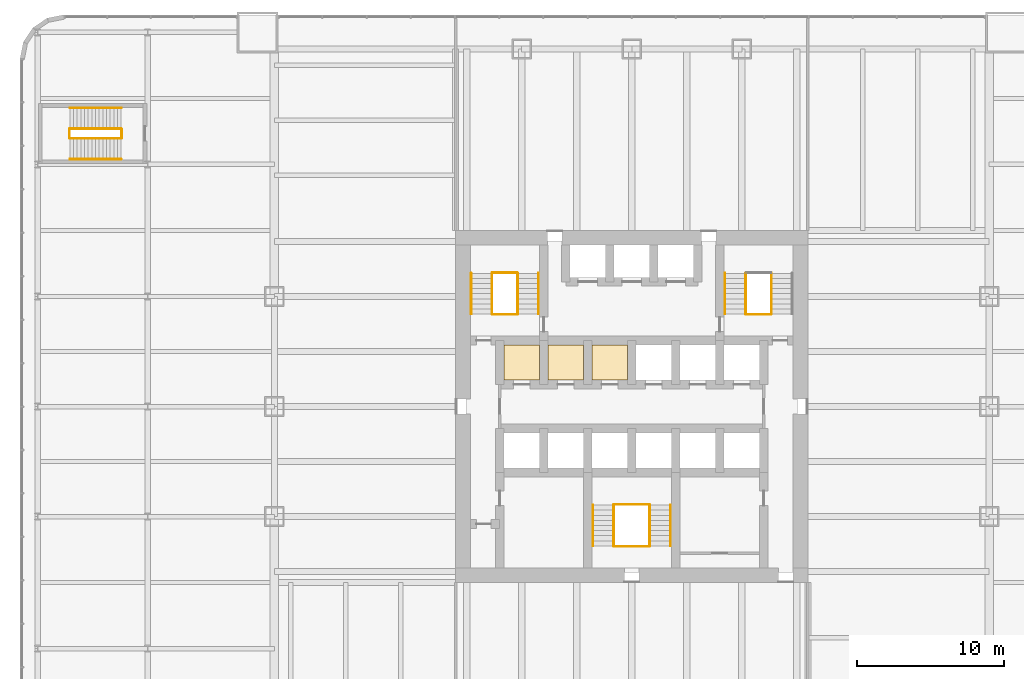
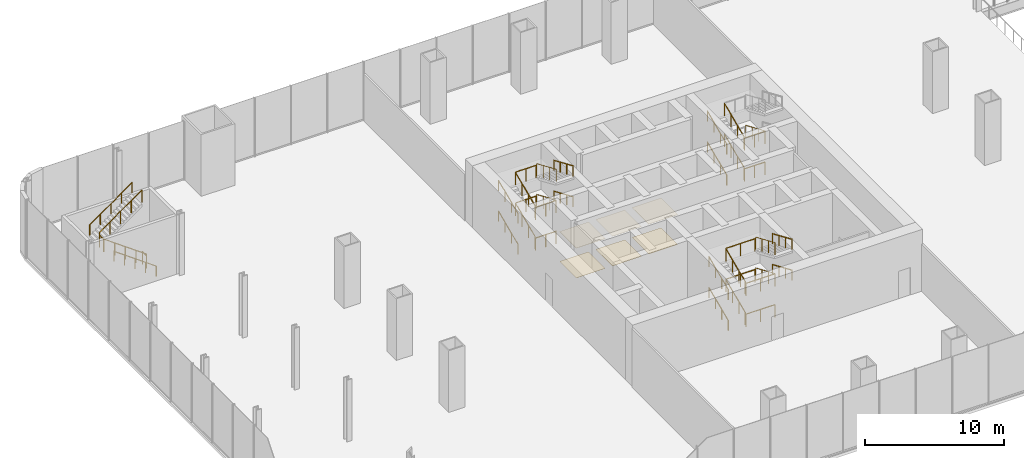
# One storey, part 15 of 16: 37 railings, 6 coverings.
"""IFC4 building model written with IfcOpenShell, lengths in metres."""

import ifcopenshell
import ifcopenshell.guid

model = None  # the IFC model being written
_history = None  # IfcOwnerHistory: only IFC2X3 demands one
_inside = {}  # id of a spatial element -> (the spatial element, [elements in it])
_under = {}  # id of a project, library or spatial element -> (it, [spatial elements below it])
_declared = {}  # id of a project -> (the project, [libraries it declares])
_typed = {}  # id of a type object -> (the type object, [elements of that type])
_made_of = {}  # id of a material, layer set ... -> (it, [elements and type objects made of it])


def new_model(schema):
    """Start an empty IFC model of exactly this schema.

    Asked for "IFC4X3", IfcOpenShell would pick the latest addendum, in which some entities
    have other attributes; the version numbers below select the first issue.
    IFC2X3 requires an IfcOwnerHistory on every rooted entity: one is made here for all.
    """
    global model, _history
    if schema == "IFC4X3":
        model = ifcopenshell.file(schema_version=(4, 3, 0, 0))
    else:
        model = ifcopenshell.file(schema=schema)
    _inside.clear()
    _under.clear()
    _declared.clear()
    _typed.clear()
    _made_of.clear()
    _history = None
    if model.schema == "IFC2X3":
        org = make("IfcOrganization", Name="unknown")
        user = make(
            "IfcPersonAndOrganization",
            ThePerson=make("IfcPerson", FamilyName="unknown"),
            TheOrganization=org,
        )
        app = make(
            "IfcApplication",
            ApplicationDeveloper=org,
            Version="unknown",
            ApplicationFullName="unknown",
            ApplicationIdentifier="unknown",
        )
        _history = make(
            "IfcOwnerHistory",
            OwningUser=user,
            OwningApplication=app,
            ChangeAction="ADDED",
            CreationDate=0,
        )
    return model


def make(cls, **values):
    """One entity of the class cls with the attributes given. An attribute that is None is left unset."""
    return model.create_entity(
        cls, **{name: value for name, value in values.items() if value is not None}
    )


def rooted(cls, **values):
    """An entity with a GlobalId (a new one), such as an element, a storey or a relation."""
    return make(cls, GlobalId=ifcopenshell.guid.new(), OwnerHistory=_history, **values)


def si_unit(unit_type, name, prefix=None):
    """IfcSIUnit, for example si_unit("LENGTHUNIT", "METRE", prefix="MILLI")."""
    return make("IfcSIUnit", UnitType=unit_type, Prefix=prefix, Name=name)


def assignment(units):
    """IfcUnitAssignment: the units of a project."""
    return None if units is None else make("IfcUnitAssignment", Units=units)


def point(xyz):
    """IfcCartesianPoint."""
    return None if xyz is None else make("IfcCartesianPoint", Coordinates=xyz)


def direction(xyz):
    """IfcDirection."""
    return None if xyz is None else make("IfcDirection", DirectionRatios=xyz)


def frame(location, z_axis=None, x_axis=None):
    """IfcAxis2Placement3D, a coordinate frame: its origin and axes. An axis left out is left unset."""
    return make(
        "IfcAxis2Placement3D",
        Location=point(location),
        Axis=direction(z_axis),
        RefDirection=direction(x_axis),
    )


def frame_2d(location, x_axis=None):
    """IfcAxis2Placement2D, a coordinate frame in the plane: its origin and x axis."""
    return make(
        "IfcAxis2Placement2D", Location=point(location), RefDirection=direction(x_axis)
    )


def origin():
    """The frame at (0, 0, 0) with its axes left unset."""
    return frame((0.0, 0.0, 0.0))


def origin_2d():
    """The frame at (0, 0) in the plane with its x axis left unset."""
    return frame_2d((0.0, 0.0))


def place(relative_to, where):
    """IfcLocalPlacement: puts the frame where relative to a parent placement (None: the world)."""
    return make(
        "IfcLocalPlacement", PlacementRelTo=relative_to, RelativePlacement=where
    )


def context(
    kind, dimensions, precision=None, world=None, true_north=None, identifier=None
):
    """IfcGeometricRepresentationContext, for example the 3D "Model" context."""
    return make(
        "IfcGeometricRepresentationContext",
        ContextIdentifier=identifier,
        ContextType=kind,
        CoordinateSpaceDimension=dimensions,
        Precision=precision,
        WorldCoordinateSystem=world,
        TrueNorth=true_north,
    )


def subcontext(parent, identifier, kind, view, scale=None):
    """IfcGeometricRepresentationSubContext, for example "Body" below "Model"."""
    return make(
        "IfcGeometricRepresentationSubContext",
        ContextIdentifier=identifier,
        ContextType=kind,
        ParentContext=parent,
        TargetScale=scale,
        TargetView=view,
    )


def project(units=None, contexts=None):
    """IfcProject with its units and contexts."""
    return rooted(
        "IfcProject",
        Name="project",
        RepresentationContexts=contexts,
        UnitsInContext=assignment(units),
    )


def spatial(cls, under=None, at=None, **own):
    """A site, building, storey or space (cls), placed at a placement, below another one or the project."""
    s = rooted(cls, ObjectPlacement=at, **own)
    if under is not None:
        _under.setdefault(under.id(), (under, []))[1].append(s)
    return s


def polyline(points):
    """IfcPolyline through the points."""
    return make("IfcPolyline", Points=[point(p) for p in points])


def profile(cls, at=None, kind="AREA", **sizes):
    """A parametric profile (cls). Its sizes go by their IFC names, for example OverallWidth=200.0."""
    return make(cls, ProfileType=kind, Position=at, **sizes)


def circle(**sizes):
    """IfcCircleProfileDef."""
    return profile("IfcCircleProfileDef", **sizes)


def outline(outer, holes=None, kind="AREA"):
    """IfcArbitraryClosedProfileDef: a profile drawn as a closed curve; with holes, ...WithVoids."""
    if holes is None:
        return make("IfcArbitraryClosedProfileDef", ProfileType=kind, OuterCurve=outer)
    return make(
        "IfcArbitraryProfileDefWithVoids",
        ProfileType=kind,
        OuterCurve=outer,
        InnerCurves=holes,
    )


def extrude(swept, where, along, depth):
    """IfcExtrudedAreaSolid: the profile swept, set in the frame where, extruded along a direction by depth."""
    return make(
        "IfcExtrudedAreaSolid",
        SweptArea=swept,
        Position=where,
        ExtrudedDirection=direction(along),
        Depth=depth,
    )


def shape(context_of_items, identifier, shape_type, items):
    """IfcShapeRepresentation: the items that make up one representation, for example the "Body"."""
    return make(
        "IfcShapeRepresentation",
        ContextOfItems=context_of_items,
        RepresentationIdentifier=identifier,
        RepresentationType=shape_type,
        Items=items,
    )


def material(Name=None, Category=None):
    """IfcMaterial."""
    return make("IfcMaterial", Name=Name, Category=Category)


def layer(
    of_material, thickness, ventilated=None, Name=None, Category=None, Priority=None
):
    """IfcMaterialLayer: one layer of a wall or slab, of a material (None: an air gap)."""
    return make(
        "IfcMaterialLayer",
        Material=of_material,
        LayerThickness=thickness,
        IsVentilated=ventilated,
        Name=Name,
        Category=Category,
        Priority=Priority,
    )


def layer_set(layers, Name=None):
    """IfcMaterialLayerSet."""
    return make("IfcMaterialLayerSet", MaterialLayers=layers, LayerSetName=Name)


def made_of(thing, what):
    """Note that an element or type object is made of a material, layer set ...; save() writes the relation."""
    if what is not None:
        _made_of.setdefault(what.id(), (what, []))[1].append(thing)
    return thing


def type_object(cls, material=None, **own):
    """A type object (cls), such as IfcWallType, which elements share."""
    return made_of(rooted(cls, **own), material)


def element(
    cls,
    number,
    at=None,
    inside=None,
    cuts=None,
    type_object=None,
    material=None,
    context=None,
    identifier="Body",
    shape_type=None,
    held_by="IfcProductDefinitionShape",
    body=None,
    shapes=None,
    **own,
):
    """One element of the class cls, such as IfcWall. Its Tag is "e" and its number.

    at: its placement. inside: the storey or other place that contains it. cuts: it is an
    opening in that element (IfcRelVoidsElement). A single representation is given by context,
    identifier, shape_type and body (its items); several are given by shapes. held_by: the class
    of the entity that holds the representations. save() writes the other relations.
    """
    e = rooted(cls, Tag="e%d" % number, ObjectPlacement=at, **own)
    if body is not None:
        shapes = [shape(context, identifier, shape_type, body)]
    if shapes is not None:
        e.Representation = make(held_by, Representations=shapes)
    if inside is not None:
        _inside.setdefault(inside.id(), (inside, []))[1].append(e)
    if cuts is not None:
        rooted(
            "IfcRelVoidsElement", RelatingBuildingElement=cuts, RelatedOpeningElement=e
        )
    if type_object is not None:
        _typed.setdefault(type_object.id(), (type_object, []))[1].append(e)
    return made_of(e, material)


def aggregate(whole, parts):
    """IfcRelAggregates: a whole, such as a stair, and the parts it consists of."""
    return rooted("IfcRelAggregates", RelatingObject=whole, RelatedObjects=parts)


def save(model, path):
    """Write the relations noted so far, then the file.

    IfcRelAggregates (storeys below a building ...), IfcRelContainedInSpatialStructure (elements
    in a storey), IfcRelDefinesByType, IfcRelAssociatesMaterial and IfcRelDeclares: one each for
    every whole, place, type object, material and project.
    """
    for whole, parts in _under.values():
        aggregate(whole, parts)
    for where, things in _inside.values():
        rooted(
            "IfcRelContainedInSpatialStructure",
            RelatedElements=things,
            RelatingStructure=where,
        )
    for kind, things in _typed.values():
        rooted("IfcRelDefinesByType", RelatedObjects=things, RelatingType=kind)
    for what, things in _made_of.values():
        rooted("IfcRelAssociatesMaterial", RelatedObjects=things, RelatingMaterial=what)
    for by, libraries in _declared.values():
        rooted("IfcRelDeclares", RelatingContext=by, RelatedDefinitions=libraries)
    model.write(path)


model = new_model("IFC4")

# Units and contexts
model_context = context("Model", 3, precision=1e-05, world=origin(), true_north=direction((0.0, 1.0)))
body_context = subcontext(model_context, "Body", "Model", "MODEL_VIEW")
ifc_project = project(units=[si_unit("LENGTHUNIT", "METRE"), si_unit("AREAUNIT", "SQUARE_METRE"), si_unit("VOLUMEUNIT", "CUBIC_METRE"), si_unit("PLANEANGLEUNIT", "RADIAN"), si_unit("MASSUNIT", "GRAM", prefix="KILO")], contexts=[model_context])

# Site, building, storey
site_placement = place(None, origin())
site = spatial("IfcSite", under=ifc_project, at=site_placement, CompositionType="ELEMENT")
building_placement = place(site_placement, origin())
building = spatial("IfcBuilding", under=site, at=building_placement, Name="Tarangal Relay Tower", CompositionType="ELEMENT")
storey_placement = place(building_placement, frame((0.0, 0.0, 7.199951171875)))
storey = spatial("IfcBuildingStorey", under=building, at=storey_placement, Name="L01", CompositionType="ELEMENT", Elevation=7.199951171875)

# Coverings
ifc_material_1 = material(Name="Anti-static vinyl flooring", Category="plastic")
ifc_layer_1 = layer(ifc_material_1, 0.010009765625)
ifc_layer_set_1 = layer_set([ifc_layer_1], Name="Anti-static vinyl floor")
covering_type_1 = type_object("IfcCoveringType", Name="Anti-static vinyl floor", PredefinedType="FLOORING", material=ifc_layer_set_1)
covering_1_placement = place(storey_placement, origin())
element("IfcCovering", 1, at=covering_1_placement, inside=storey, type_object=covering_type_1, Name="Floor finish FL1 L01-D1", PredefinedType="FLOORING", context=body_context, shape_type="SweptSolid", body=[
    extrude(outline(polyline([(-8.699951171875, 1.800048828125), (-6.300048828125, 1.800048828125), (-6.300048828125, 4.199951171875), (-8.699951171875, 4.199951171875), (-8.699951171875, 1.800048828125)])), origin(), (0.0, 0.0, 1.0), 0.010009765625),
])
covering_2_placement = place(storey_placement, origin())
element("IfcCovering", 2, at=covering_2_placement, inside=storey, type_object=covering_type_1, Name="Floor finish FL1 L01-D2", PredefinedType="FLOORING", context=body_context, shape_type="SweptSolid", body=[
    extrude(outline(polyline([(-5.699951171875, 1.800048828125), (-3.300048828125, 1.800048828125), (-3.300048828125, 4.199951171875), (-5.699951171875, 4.199951171875), (-5.699951171875, 1.800048828125)])), origin(), (0.0, 0.0, 1.0), 0.010009765625),
])
covering_3_placement = place(storey_placement, origin())
element("IfcCovering", 3, at=covering_3_placement, inside=storey, type_object=covering_type_1, Name="Floor finish FL1 L01-D3", PredefinedType="FLOORING", context=body_context, shape_type="SweptSolid", body=[
    extrude(outline(polyline([(-2.699951171875, 1.800048828125), (-0.300048828125, 1.800048828125), (-0.300048828125, 4.199951171875), (-2.699951171875, 4.199951171875), (-2.699951171875, 1.800048828125)])), origin(), (0.0, 0.0, 1.0), 0.010009765625),
])

# Railings
ifc_material_2 = material(Name="Steel guard, black finish", Category="steel")
railing_type_1 = type_object("IfcRailingType", Name="Stair guard 1100", PredefinedType="GUARDRAIL", material=ifc_material_2)
railing_1_placement = place(storey_placement, frame((-9.530029296875, 6.300048828125, 0.150146484375)))
element("IfcRailing", 4, at=railing_1_placement, inside=storey, type_object=railing_type_1, Name="Stair ST-A guard GR1 L01 flight 1", PredefinedType="GUARDRAIL", context=body_context, shape_type="SweptSolid", body=[
    extrude(circle(Radius=0.02392578125, at=origin_2d()), frame((0.0, 0.0, 1.076171875), z_axis=(0.0, 0.918326609968, 0.395823492765), x_axis=(-1.0, 0.0, 0.0)), (0.0, 0.0, 1.0), 3.031494140625),
    extrude(circle(Radius=0.02099609375, at=origin_2d()), origin(), (0.0, 0.0, 1.0), 1.052001953125),
    extrude(circle(Radius=0.02099609375, at=origin_2d()), frame((0.0, 0.927978515625, 0.39990234375)), (0.0, 0.0, 1.0), 1.052001953125),
    extrude(circle(Radius=0.02099609375, at=origin_2d()), frame((0.0, 1.85595703125, 0.800048828125)), (0.0, 0.0, 1.0), 1.052001953125),
    extrude(circle(Radius=0.02099609375, at=origin_2d()), frame((0.0, 2.783935546875, 1.199951171875)), (0.0, 0.0, 1.0), 1.052001953125),
])
railing_2_placement = place(storey_placement, frame((-7.77001953125, 9.083984375, 1.5)))
element("IfcRailing", 5, at=railing_2_placement, inside=storey, type_object=railing_type_1, Name="Stair ST-A guard GR1 L01 flight 2", PredefinedType="GUARDRAIL", context=body_context, shape_type="SweptSolid", body=[
    extrude(circle(Radius=0.02392578125, at=origin_2d()), frame((0.0, 0.0, 1.076171875), z_axis=(0.0, -0.918326609968, 0.395823492765), x_axis=(1.0, 0.0, 0.0)), (0.0, 0.0, 1.0), 3.031494140625),
    extrude(circle(Radius=0.02099609375, at=origin_2d()), origin(), (0.0, 0.0, 1.0), 1.052001953125),
    extrude(circle(Radius=0.02099609375, at=origin_2d()), frame((0.0, -0.927978515625, 0.39990234375)), (0.0, 0.0, 1.0), 1.052001953125),
    extrude(circle(Radius=0.02099609375, at=origin_2d()), frame((0.0, -1.85595703125, 0.800048828125)), (0.0, 0.0, 1.0), 1.052001953125),
    extrude(circle(Radius=0.02099609375, at=origin_2d()), frame((0.0, -2.783935546875, 1.199951171875)), (0.0, 0.0, 1.0), 1.052001953125),
])
railing_3_placement = place(storey_placement, frame((-9.530029296875, 6.300048828125, 2.85009765625)))
element("IfcRailing", 6, at=railing_3_placement, inside=storey, type_object=railing_type_1, Name="Stair ST-A guard GR1 L01 flight 3", PredefinedType="GUARDRAIL", context=body_context, shape_type="SweptSolid", body=[
    extrude(circle(Radius=0.02392578125, at=origin_2d()), frame((0.0, 0.0, 1.076171875), z_axis=(0.0, 0.918326609968, 0.395823492765), x_axis=(-1.0, 0.0, 0.0)), (0.0, 0.0, 1.0), 3.031494140625),
    extrude(circle(Radius=0.02099609375, at=origin_2d()), origin(), (0.0, 0.0, 1.0), 1.052001953125),
    extrude(circle(Radius=0.02099609375, at=origin_2d()), frame((0.0, 0.927978515625, 0.39990234375)), (0.0, 0.0, 1.0), 1.052001953125),
    extrude(circle(Radius=0.02099609375, at=origin_2d()), frame((0.0, 1.85595703125, 0.800048828125)), (0.0, 0.0, 1.0), 1.052001953125),
    extrude(circle(Radius=0.02099609375, at=origin_2d()), frame((0.0, 2.783935546875, 1.199951171875)), (0.0, 0.0, 1.0), 1.052001953125),
])
railing_4_placement = place(storey_placement, frame((-7.77001953125, 9.083984375, 4.199951171875)))
element("IfcRailing", 7, at=railing_4_placement, inside=storey, type_object=railing_type_1, Name="Stair ST-A guard GR1 L01 flight 4", PredefinedType="GUARDRAIL", context=body_context, shape_type="SweptSolid", body=[
    extrude(circle(Radius=0.02392578125, at=origin_2d()), frame((0.0, 0.0, 1.076171875), z_axis=(0.0, -0.918297334747, 0.395891405561), x_axis=(1.0, 0.0, 0.0)), (0.0, 0.0, 1.0), 3.03173828125),
    extrude(circle(Radius=0.02099609375, at=origin_2d()), origin(), (0.0, 0.0, 1.0), 1.052001953125),
    extrude(circle(Radius=0.02099609375, at=origin_2d()), frame((0.0, -0.927978515625, 0.400146484375)), (0.0, 0.0, 1.0), 1.052001953125),
    extrude(circle(Radius=0.02099609375, at=origin_2d()), frame((0.0, -1.85595703125, 0.800048828125)), (0.0, 0.0, 1.0), 1.052001953125),
    extrude(circle(Radius=0.02099609375, at=origin_2d()), frame((0.0, -2.783935546875, 1.2001953125)), (0.0, 0.0, 1.0), 1.052001953125),
])
for number, where, name in (
    (8, (-9.5, 6.27001953125, 0.0), "Stair ST-A landing guard GR1 L01"),
    (9, (-9.5, 9.114013671875, 1.35009765625), "Stair ST-A landing guard GR1 L01"),
    (10, (-9.5, 6.27001953125, 2.699951171875), "Stair ST-A landing guard GR1 L01"),
    (11, (-9.5, 9.114013671875, 4.050048828125), "Stair ST-A landing guard GR1 L01"),
):
    element("IfcRailing", number, at=place(storey_placement, frame(where)), inside=storey, type_object=railing_type_1, Name=name, PredefinedType="GUARDRAIL", context=body_context, shape_type="SweptSolid", body=[
        extrude(circle(Radius=0.02392578125, at=origin_2d()), frame((0.0, 0.0, 1.076171875), z_axis=(1.0, 0.0, 0.0), x_axis=(0.0, 1.0, 0.0)), (0.0, 0.0, 1.0), 1.699951171875),
        extrude(circle(Radius=0.02099609375, at=origin_2d()), origin(), (0.0, 0.0, 1.0), 1.052001953125),
        extrude(circle(Radius=0.02099609375, at=origin_2d()), frame((0.85009765625, 0.0, 0.0)), (0.0, 0.0, 1.0), 1.052001953125),
        extrude(circle(Radius=0.02099609375, at=origin_2d()), frame((1.699951171875, 0.0, 0.0)), (0.0, 0.0, 1.0), 1.052001953125),
    ])
railing_5_placement = place(storey_placement, frame((7.77001953125, 6.300048828125, 0.150146484375)))
element("IfcRailing", 12, at=railing_5_placement, inside=storey, type_object=railing_type_1, Name="Stair ST-B guard GR1 L01 flight 1", PredefinedType="GUARDRAIL", context=body_context, shape_type="SweptSolid", body=[
    extrude(circle(Radius=0.02392578125, at=origin_2d()), frame((0.0, 0.0, 1.076171875), z_axis=(0.0, 0.918326609968, 0.395823492765), x_axis=(-1.0, 0.0, 0.0)), (0.0, 0.0, 1.0), 3.031494140625),
    extrude(circle(Radius=0.02099609375, at=origin_2d()), origin(), (0.0, 0.0, 1.0), 1.052001953125),
    extrude(circle(Radius=0.02099609375, at=origin_2d()), frame((0.0, 0.927978515625, 0.39990234375)), (0.0, 0.0, 1.0), 1.052001953125),
    extrude(circle(Radius=0.02099609375, at=origin_2d()), frame((0.0, 1.85595703125, 0.800048828125)), (0.0, 0.0, 1.0), 1.052001953125),
    extrude(circle(Radius=0.02099609375, at=origin_2d()), frame((0.0, 2.783935546875, 1.199951171875)), (0.0, 0.0, 1.0), 1.052001953125),
])
railing_6_placement = place(storey_placement, frame((9.530029296875, 9.083984375, 1.5)))
element("IfcRailing", 13, at=railing_6_placement, inside=storey, type_object=railing_type_1, Name="Stair ST-B guard GR1 L01 flight 2", PredefinedType="GUARDRAIL", context=body_context, shape_type="SweptSolid", body=[
    extrude(circle(Radius=0.02392578125, at=origin_2d()), frame((0.0, 0.0, 1.076171875), z_axis=(0.0, -0.918326609968, 0.395823492765), x_axis=(1.0, 0.0, 0.0)), (0.0, 0.0, 1.0), 3.031494140625),
    extrude(circle(Radius=0.02099609375, at=origin_2d()), origin(), (0.0, 0.0, 1.0), 1.052001953125),
    extrude(circle(Radius=0.02099609375, at=origin_2d()), frame((0.0, -0.927978515625, 0.39990234375)), (0.0, 0.0, 1.0), 1.052001953125),
    extrude(circle(Radius=0.02099609375, at=origin_2d()), frame((0.0, -1.85595703125, 0.800048828125)), (0.0, 0.0, 1.0), 1.052001953125),
    extrude(circle(Radius=0.02099609375, at=origin_2d()), frame((0.0, -2.783935546875, 1.199951171875)), (0.0, 0.0, 1.0), 1.052001953125),
])
railing_7_placement = place(storey_placement, frame((7.77001953125, 6.300048828125, 2.85009765625)))
element("IfcRailing", 14, at=railing_7_placement, inside=storey, type_object=railing_type_1, Name="Stair ST-B guard GR1 L01 flight 3", PredefinedType="GUARDRAIL", context=body_context, shape_type="SweptSolid", body=[
    extrude(circle(Radius=0.02392578125, at=origin_2d()), frame((0.0, 0.0, 1.076171875), z_axis=(0.0, 0.918326609968, 0.395823492765), x_axis=(-1.0, 0.0, 0.0)), (0.0, 0.0, 1.0), 3.031494140625),
    extrude(circle(Radius=0.02099609375, at=origin_2d()), origin(), (0.0, 0.0, 1.0), 1.052001953125),
    extrude(circle(Radius=0.02099609375, at=origin_2d()), frame((0.0, 0.927978515625, 0.39990234375)), (0.0, 0.0, 1.0), 1.052001953125),
    extrude(circle(Radius=0.02099609375, at=origin_2d()), frame((0.0, 1.85595703125, 0.800048828125)), (0.0, 0.0, 1.0), 1.052001953125),
    extrude(circle(Radius=0.02099609375, at=origin_2d()), frame((0.0, 2.783935546875, 1.199951171875)), (0.0, 0.0, 1.0), 1.052001953125),
])
for number, where, name in (
    (15, (7.800048828125, 6.27001953125, 0.0), "Stair ST-B landing guard GR1 L01"),
    (16, (7.800048828125, 6.27001953125, 2.699951171875), "Stair ST-B landing guard GR1 L01"),
):
    element("IfcRailing", number, at=place(storey_placement, frame(where)), inside=storey, type_object=railing_type_1, Name=name, PredefinedType="GUARDRAIL", context=body_context, shape_type="SweptSolid", body=[
        extrude(circle(Radius=0.02392578125, at=origin_2d()), frame((0.0, 0.0, 1.076171875), z_axis=(1.0, 0.0, 0.0), x_axis=(0.0, 1.0, 0.0)), (0.0, 0.0, 1.0), 1.699951171875),
        extrude(circle(Radius=0.02099609375, at=origin_2d()), origin(), (0.0, 0.0, 1.0), 1.052001953125),
        extrude(circle(Radius=0.02099609375, at=origin_2d()), frame((0.85009765625, 0.0, 0.0)), (0.0, 0.0, 1.0), 1.052001953125),
        extrude(circle(Radius=0.02099609375, at=origin_2d()), frame((1.699951171875, 0.0, 0.0)), (0.0, 0.0, 1.0), 1.052001953125),
    ])
railing_8_placement = place(storey_placement, frame((-1.22998046875, -9.5, 0.150146484375)))
element("IfcRailing", 17, at=railing_8_placement, inside=storey, type_object=railing_type_1, Name="Stair ST-C guard GR1 L01 flight 1", PredefinedType="GUARDRAIL", context=body_context, shape_type="SweptSolid", body=[
    extrude(circle(Radius=0.02392578125, at=origin_2d()), frame((0.0, 0.0, 1.076171875), z_axis=(0.0, 0.918326609968, 0.395823492765), x_axis=(-1.0, 0.0, 0.0)), (0.0, 0.0, 1.0), 3.031494140625),
    extrude(circle(Radius=0.02099609375, at=origin_2d()), origin(), (0.0, 0.0, 1.0), 1.052001953125),
    extrude(circle(Radius=0.02099609375, at=origin_2d()), frame((0.0, 0.927978515625, 0.39990234375)), (0.0, 0.0, 1.0), 1.052001953125),
    extrude(circle(Radius=0.02099609375, at=origin_2d()), frame((0.0, 1.85595703125, 0.800048828125)), (0.0, 0.0, 1.0), 1.052001953125),
    extrude(circle(Radius=0.02099609375, at=origin_2d()), frame((0.0, 2.783935546875, 1.199951171875)), (0.0, 0.0, 1.0), 1.052001953125),
])
railing_9_placement = place(storey_placement, frame((1.22998046875, -6.716064453125, 1.5)))
element("IfcRailing", 18, at=railing_9_placement, inside=storey, type_object=railing_type_1, Name="Stair ST-C guard GR1 L01 flight 2", PredefinedType="GUARDRAIL", context=body_context, shape_type="SweptSolid", body=[
    extrude(circle(Radius=0.02392578125, at=origin_2d()), frame((0.0, 0.0, 1.076171875), z_axis=(0.0, -0.918326609968, 0.395823492765), x_axis=(1.0, 0.0, 0.0)), (0.0, 0.0, 1.0), 3.031494140625),
    extrude(circle(Radius=0.02099609375, at=origin_2d()), origin(), (0.0, 0.0, 1.0), 1.052001953125),
    extrude(circle(Radius=0.02099609375, at=origin_2d()), frame((0.0, -0.927978515625, 0.39990234375)), (0.0, 0.0, 1.0), 1.052001953125),
    extrude(circle(Radius=0.02099609375, at=origin_2d()), frame((0.0, -1.85595703125, 0.800048828125)), (0.0, 0.0, 1.0), 1.052001953125),
    extrude(circle(Radius=0.02099609375, at=origin_2d()), frame((0.0, -2.783935546875, 1.199951171875)), (0.0, 0.0, 1.0), 1.052001953125),
])
railing_10_placement = place(storey_placement, frame((-1.22998046875, -9.5, 2.85009765625)))
element("IfcRailing", 19, at=railing_10_placement, inside=storey, type_object=railing_type_1, Name="Stair ST-C guard GR1 L01 flight 3", PredefinedType="GUARDRAIL", context=body_context, shape_type="SweptSolid", body=[
    extrude(circle(Radius=0.02392578125, at=origin_2d()), frame((0.0, 0.0, 1.076171875), z_axis=(0.0, 0.918326609968, 0.395823492765), x_axis=(-1.0, 0.0, 0.0)), (0.0, 0.0, 1.0), 3.031494140625),
    extrude(circle(Radius=0.02099609375, at=origin_2d()), origin(), (0.0, 0.0, 1.0), 1.052001953125),
    extrude(circle(Radius=0.02099609375, at=origin_2d()), frame((0.0, 0.927978515625, 0.39990234375)), (0.0, 0.0, 1.0), 1.052001953125),
    extrude(circle(Radius=0.02099609375, at=origin_2d()), frame((0.0, 1.85595703125, 0.800048828125)), (0.0, 0.0, 1.0), 1.052001953125),
    extrude(circle(Radius=0.02099609375, at=origin_2d()), frame((0.0, 2.783935546875, 1.199951171875)), (0.0, 0.0, 1.0), 1.052001953125),
])
railing_11_placement = place(storey_placement, frame((1.22998046875, -6.716064453125, 4.199951171875)))
element("IfcRailing", 20, at=railing_11_placement, inside=storey, type_object=railing_type_1, Name="Stair ST-C guard GR1 L01 flight 4", PredefinedType="GUARDRAIL", context=body_context, shape_type="SweptSolid", body=[
    extrude(circle(Radius=0.02392578125, at=origin_2d()), frame((0.0, 0.0, 1.076171875), z_axis=(0.0, -0.918297334747, 0.395891405561), x_axis=(1.0, 0.0, 0.0)), (0.0, 0.0, 1.0), 3.03173828125),
    extrude(circle(Radius=0.02099609375, at=origin_2d()), origin(), (0.0, 0.0, 1.0), 1.052001953125),
    extrude(circle(Radius=0.02099609375, at=origin_2d()), frame((0.0, -0.927978515625, 0.400146484375)), (0.0, 0.0, 1.0), 1.052001953125),
    extrude(circle(Radius=0.02099609375, at=origin_2d()), frame((0.0, -1.85595703125, 0.800048828125)), (0.0, 0.0, 1.0), 1.052001953125),
    extrude(circle(Radius=0.02099609375, at=origin_2d()), frame((0.0, -2.783935546875, 1.2001953125)), (0.0, 0.0, 1.0), 1.052001953125),
])
for number, where, name in (
    (21, (-1.199951171875, -9.530029296875, 0.0), "Stair ST-C landing guard GR1 L01"),
    (22, (-1.199951171875, -6.68603515625, 1.35009765625), "Stair ST-C landing guard GR1 L01"),
    (23, (-1.199951171875, -9.530029296875, 2.699951171875), "Stair ST-C landing guard GR1 L01"),
    (24, (-1.199951171875, -6.68603515625, 4.050048828125), "Stair ST-C landing guard GR1 L01"),
):
    element("IfcRailing", number, at=place(storey_placement, frame(where)), inside=storey, type_object=railing_type_1, Name=name, PredefinedType="GUARDRAIL", context=body_context, shape_type="SweptSolid", body=[
        extrude(circle(Radius=0.02392578125, at=origin_2d()), frame((0.0, 0.0, 1.076171875), z_axis=(1.0, 0.0, 0.0), x_axis=(0.0, 1.0, 0.0)), (0.0, 0.0, 1.0), 2.39990234375),
        extrude(circle(Radius=0.02099609375, at=origin_2d()), origin(), (0.0, 0.0, 1.0), 1.052001953125),
        extrude(circle(Radius=0.02099609375, at=origin_2d()), frame((1.199951171875, 0.0, 0.0)), (0.0, 0.0, 1.0), 1.052001953125),
        extrude(circle(Radius=0.02099609375, at=origin_2d()), frame((2.39990234375, 0.0, 0.0)), (0.0, 0.0, 1.0), 1.052001953125),
    ])
railing_12_placement = place(storey_placement, frame((-34.800048828125, 18.27001953125, 0.179931640625)))
element("IfcRailing", 25, at=railing_12_placement, inside=storey, type_object=railing_type_1, Name="Stair ST-D guard GR1 L01 flight 1", PredefinedType="GUARDRAIL", context=body_context, shape_type="SweptSolid", body=[
    extrude(circle(Radius=0.02392578125, at=origin_2d()), frame((0.0, 0.0, 1.076171875), z_axis=(-0.811532194041, 0.0, 0.584307708349), x_axis=(0.0, -1.0, 0.0)), (0.0, 0.0, 1.0), 4.312744140625),
    extrude(circle(Radius=0.02099609375, at=origin_2d()), origin(), (0.0, 0.0, 1.0), 1.052001953125),
    extrude(circle(Radius=0.02099609375, at=origin_2d()), frame((-0.875, 0.0, 0.6298828125)), (0.0, 0.0, 1.0), 1.052001953125),
    extrude(circle(Radius=0.02099609375, at=origin_2d()), frame((-1.75, 0.0, 1.260009765625)), (0.0, 0.0, 1.0), 1.052001953125),
    extrude(circle(Radius=0.02099609375, at=origin_2d()), frame((-2.625, 0.0, 1.89013671875)), (0.0, 0.0, 1.0), 1.052001953125),
    extrude(circle(Radius=0.02099609375, at=origin_2d()), frame((-3.5, 0.0, 2.52001953125)), (0.0, 0.0, 1.0), 1.052001953125),
])
railing_13_placement = place(storey_placement, frame((-38.300048828125, 18.929931640625, 2.880126953125)))
element("IfcRailing", 26, at=railing_13_placement, inside=storey, type_object=railing_type_1, Name="Stair ST-D guard GR1 L01 flight 2", PredefinedType="GUARDRAIL", context=body_context, shape_type="SweptSolid", body=[
    extrude(circle(Radius=0.02392578125, at=origin_2d()), frame((0.0, 0.0, 1.076171875), z_axis=(0.811532194041, 0.0, 0.584307708349), x_axis=(0.0, 1.0, 0.0)), (0.0, 0.0, 1.0), 4.312744140625),
    extrude(circle(Radius=0.02099609375, at=origin_2d()), origin(), (0.0, 0.0, 1.0), 1.052001953125),
    extrude(circle(Radius=0.02099609375, at=origin_2d()), frame((0.875, 0.0, 0.6298828125)), (0.0, 0.0, 1.0), 1.052001953125),
    extrude(circle(Radius=0.02099609375, at=origin_2d()), frame((1.75, 0.0, 1.260009765625)), (0.0, 0.0, 1.0), 1.052001953125),
    extrude(circle(Radius=0.02099609375, at=origin_2d()), frame((2.625, 0.0, 1.89013671875)), (0.0, 0.0, 1.0), 1.052001953125),
    extrude(circle(Radius=0.02099609375, at=origin_2d()), frame((3.5, 0.0, 2.52001953125)), (0.0, 0.0, 1.0), 1.052001953125),
])
for number, where, name in (
    (27, (-34.77001953125, 18.300048828125, 0.0), "Stair ST-D landing guard GR1 L01"),
    (28, (-38.330078125, 18.300048828125, 2.699951171875), "Stair ST-D landing guard GR1 L01"),
):
    element("IfcRailing", number, at=place(storey_placement, frame(where)), inside=storey, type_object=railing_type_1, Name=name, PredefinedType="GUARDRAIL", context=body_context, shape_type="SweptSolid", body=[
        extrude(circle(Radius=0.02392578125, at=origin_2d()), frame((0.0, 0.0, 1.076171875), z_axis=(0.0, 1.0, 0.0), x_axis=(-1.0, 0.0, 0.0)), (0.0, 0.0, 1.0), 0.599853515625),
        extrude(circle(Radius=0.02099609375, at=origin_2d()), origin(), (0.0, 0.0, 1.0), 1.052001953125),
        extrude(circle(Radius=0.02099609375, at=origin_2d()), frame((0.0, 0.599853515625, 0.0)), (0.0, 0.0, 1.0), 1.052001953125),
    ])
ifc_material_3 = material(Name="Steel handrail, black finish", Category="steel")
railing_type_2 = type_object("IfcRailingType", Name="Stair handrail 900", PredefinedType="HANDRAIL", material=ifc_material_3)
railing_14_placement = place(storey_placement, frame((-10.93994140625, 6.300048828125, 0.150146484375)))
element("IfcRailing", 29, at=railing_14_placement, inside=storey, type_object=railing_type_2, Name="Stair ST-A handrail HR1 L01 flight 1", PredefinedType="HANDRAIL", context=body_context, shape_type="SweptSolid", body=[
    extrude(circle(Radius=0.02392578125, at=origin_2d()), frame((0.0, 0.0, 0.8759765625), z_axis=(0.0, 0.918326609968, 0.395823492765), x_axis=(-1.0, 0.0, 0.0)), (0.0, 0.0, 1.0), 3.031494140625),
    extrude(circle(Radius=0.02099609375, at=origin_2d()), origin(), (0.0, 0.0, 1.0), 0.851806640625),
    extrude(circle(Radius=0.02099609375, at=origin_2d()), frame((0.0, 0.927978515625, 0.39990234375)), (0.0, 0.0, 1.0), 0.851806640625),
    extrude(circle(Radius=0.02099609375, at=origin_2d()), frame((0.0, 1.85595703125, 0.800048828125)), (0.0, 0.0, 1.0), 0.851806640625),
    extrude(circle(Radius=0.02099609375, at=origin_2d()), frame((0.0, 2.783935546875, 1.199951171875)), (0.0, 0.0, 1.0), 0.851806640625),
])
railing_15_placement = place(storey_placement, frame((-6.360107421875, 9.083984375, 1.5)))
element("IfcRailing", 30, at=railing_15_placement, inside=storey, type_object=railing_type_2, Name="Stair ST-A handrail HR1 L01 flight 2", PredefinedType="HANDRAIL", context=body_context, shape_type="SweptSolid", body=[
    extrude(circle(Radius=0.02392578125, at=origin_2d()), frame((0.0, 0.0, 0.8759765625), z_axis=(0.0, -0.918326609968, 0.395823492765), x_axis=(1.0, 0.0, 0.0)), (0.0, 0.0, 1.0), 3.031494140625),
    extrude(circle(Radius=0.02099609375, at=origin_2d()), origin(), (0.0, 0.0, 1.0), 0.851806640625),
    extrude(circle(Radius=0.02099609375, at=origin_2d()), frame((0.0, -0.927978515625, 0.39990234375)), (0.0, 0.0, 1.0), 0.851806640625),
    extrude(circle(Radius=0.02099609375, at=origin_2d()), frame((0.0, -1.85595703125, 0.800048828125)), (0.0, 0.0, 1.0), 0.851806640625),
    extrude(circle(Radius=0.02099609375, at=origin_2d()), frame((0.0, -2.783935546875, 1.199951171875)), (0.0, 0.0, 1.0), 0.851806640625),
])
railing_16_placement = place(storey_placement, frame((-10.93994140625, 6.300048828125, 2.85009765625)))
element("IfcRailing", 31, at=railing_16_placement, inside=storey, type_object=railing_type_2, Name="Stair ST-A handrail HR1 L01 flight 3", PredefinedType="HANDRAIL", context=body_context, shape_type="SweptSolid", body=[
    extrude(circle(Radius=0.02392578125, at=origin_2d()), frame((0.0, 0.0, 0.8759765625), z_axis=(0.0, 0.918326609968, 0.395823492765), x_axis=(-1.0, 0.0, 0.0)), (0.0, 0.0, 1.0), 3.031494140625),
    extrude(circle(Radius=0.02099609375, at=origin_2d()), origin(), (0.0, 0.0, 1.0), 0.851806640625),
    extrude(circle(Radius=0.02099609375, at=origin_2d()), frame((0.0, 0.927978515625, 0.39990234375)), (0.0, 0.0, 1.0), 0.851806640625),
    extrude(circle(Radius=0.02099609375, at=origin_2d()), frame((0.0, 1.85595703125, 0.800048828125)), (0.0, 0.0, 1.0), 0.851806640625),
    extrude(circle(Radius=0.02099609375, at=origin_2d()), frame((0.0, 2.783935546875, 1.199951171875)), (0.0, 0.0, 1.0), 0.851806640625),
])
railing_17_placement = place(storey_placement, frame((-6.360107421875, 9.083984375, 4.199951171875)))
element("IfcRailing", 32, at=railing_17_placement, inside=storey, type_object=railing_type_2, Name="Stair ST-A handrail HR1 L01 flight 4", PredefinedType="HANDRAIL", context=body_context, shape_type="SweptSolid", body=[
    extrude(circle(Radius=0.02392578125, at=origin_2d()), frame((0.0, 0.0, 0.8759765625), z_axis=(0.0, -0.918297334747, 0.395891405561), x_axis=(1.0, 0.0, 0.0)), (0.0, 0.0, 1.0), 3.03173828125),
    extrude(circle(Radius=0.02099609375, at=origin_2d()), origin(), (0.0, 0.0, 1.0), 0.851806640625),
    extrude(circle(Radius=0.02099609375, at=origin_2d()), frame((0.0, -0.927978515625, 0.400146484375)), (0.0, 0.0, 1.0), 0.851806640625),
    extrude(circle(Radius=0.02099609375, at=origin_2d()), frame((0.0, -1.85595703125, 0.800048828125)), (0.0, 0.0, 1.0), 0.851806640625),
    extrude(circle(Radius=0.02099609375, at=origin_2d()), frame((0.0, -2.783935546875, 1.2001953125)), (0.0, 0.0, 1.0), 0.851806640625),
])
for number, where, name in (
    (33, (6.360107421875, 6.300048828125, 0.150146484375), "Stair ST-B handrail HR1 L01 flight 1"),
    (34, (6.360107421875, 6.300048828125, 2.85009765625), "Stair ST-B handrail HR1 L01 flight 3"),
    (35, (-2.639892578125, -9.5, 0.150146484375), "Stair ST-C handrail HR1 L01 flight 1"),
):
    element("IfcRailing", number, at=place(storey_placement, frame(where)), inside=storey, type_object=railing_type_2, Name=name, PredefinedType="HANDRAIL", context=body_context, shape_type="SweptSolid", body=[
        extrude(circle(Radius=0.02392578125, at=origin_2d()), frame((0.0, 0.0, 0.8759765625), z_axis=(0.0, 0.918326609968, 0.395823492765), x_axis=(-1.0, 0.0, 0.0)), (0.0, 0.0, 1.0), 3.031494140625),
        extrude(circle(Radius=0.02099609375, at=origin_2d()), origin(), (0.0, 0.0, 1.0), 0.851806640625),
        extrude(circle(Radius=0.02099609375, at=origin_2d()), frame((0.0, 0.927978515625, 0.39990234375)), (0.0, 0.0, 1.0), 0.851806640625),
        extrude(circle(Radius=0.02099609375, at=origin_2d()), frame((0.0, 1.85595703125, 0.800048828125)), (0.0, 0.0, 1.0), 0.851806640625),
        extrude(circle(Radius=0.02099609375, at=origin_2d()), frame((0.0, 2.783935546875, 1.199951171875)), (0.0, 0.0, 1.0), 0.851806640625),
    ])
railing_18_placement = place(storey_placement, frame((2.639892578125, -6.716064453125, 1.5)))
element("IfcRailing", 36, at=railing_18_placement, inside=storey, type_object=railing_type_2, Name="Stair ST-C handrail HR1 L01 flight 2", PredefinedType="HANDRAIL", context=body_context, shape_type="SweptSolid", body=[
    extrude(circle(Radius=0.02392578125, at=origin_2d()), frame((0.0, 0.0, 0.8759765625), z_axis=(0.0, -0.918326609968, 0.395823492765), x_axis=(1.0, 0.0, 0.0)), (0.0, 0.0, 1.0), 3.031494140625),
    extrude(circle(Radius=0.02099609375, at=origin_2d()), origin(), (0.0, 0.0, 1.0), 0.851806640625),
    extrude(circle(Radius=0.02099609375, at=origin_2d()), frame((0.0, -0.927978515625, 0.39990234375)), (0.0, 0.0, 1.0), 0.851806640625),
    extrude(circle(Radius=0.02099609375, at=origin_2d()), frame((0.0, -1.85595703125, 0.800048828125)), (0.0, 0.0, 1.0), 0.851806640625),
    extrude(circle(Radius=0.02099609375, at=origin_2d()), frame((0.0, -2.783935546875, 1.199951171875)), (0.0, 0.0, 1.0), 0.851806640625),
])
railing_19_placement = place(storey_placement, frame((-2.639892578125, -9.5, 2.85009765625)))
element("IfcRailing", 37, at=railing_19_placement, inside=storey, type_object=railing_type_2, Name="Stair ST-C handrail HR1 L01 flight 3", PredefinedType="HANDRAIL", context=body_context, shape_type="SweptSolid", body=[
    extrude(circle(Radius=0.02392578125, at=origin_2d()), frame((0.0, 0.0, 0.8759765625), z_axis=(0.0, 0.918326609968, 0.395823492765), x_axis=(-1.0, 0.0, 0.0)), (0.0, 0.0, 1.0), 3.031494140625),
    extrude(circle(Radius=0.02099609375, at=origin_2d()), origin(), (0.0, 0.0, 1.0), 0.851806640625),
    extrude(circle(Radius=0.02099609375, at=origin_2d()), frame((0.0, 0.927978515625, 0.39990234375)), (0.0, 0.0, 1.0), 0.851806640625),
    extrude(circle(Radius=0.02099609375, at=origin_2d()), frame((0.0, 1.85595703125, 0.800048828125)), (0.0, 0.0, 1.0), 0.851806640625),
    extrude(circle(Radius=0.02099609375, at=origin_2d()), frame((0.0, 2.783935546875, 1.199951171875)), (0.0, 0.0, 1.0), 0.851806640625),
])
railing_20_placement = place(storey_placement, frame((2.639892578125, -6.716064453125, 4.199951171875)))
element("IfcRailing", 38, at=railing_20_placement, inside=storey, type_object=railing_type_2, Name="Stair ST-C handrail HR1 L01 flight 4", PredefinedType="HANDRAIL", context=body_context, shape_type="SweptSolid", body=[
    extrude(circle(Radius=0.02392578125, at=origin_2d()), frame((0.0, 0.0, 0.8759765625), z_axis=(0.0, -0.918297334747, 0.395891405561), x_axis=(1.0, 0.0, 0.0)), (0.0, 0.0, 1.0), 3.03173828125),
    extrude(circle(Radius=0.02099609375, at=origin_2d()), origin(), (0.0, 0.0, 1.0), 0.851806640625),
    extrude(circle(Radius=0.02099609375, at=origin_2d()), frame((0.0, -0.927978515625, 0.400146484375)), (0.0, 0.0, 1.0), 0.851806640625),
    extrude(circle(Radius=0.02099609375, at=origin_2d()), frame((0.0, -1.85595703125, 0.800048828125)), (0.0, 0.0, 1.0), 0.851806640625),
    extrude(circle(Radius=0.02099609375, at=origin_2d()), frame((0.0, -2.783935546875, 1.2001953125)), (0.0, 0.0, 1.0), 0.851806640625),
])
railing_21_placement = place(storey_placement, frame((-34.800048828125, 16.860107421875, 0.179931640625)))
element("IfcRailing", 39, at=railing_21_placement, inside=storey, type_object=railing_type_2, Name="Stair ST-D handrail HR1 L01 flight 1", PredefinedType="HANDRAIL", context=body_context, shape_type="SweptSolid", body=[
    extrude(circle(Radius=0.02392578125, at=origin_2d()), frame((0.0, 0.0, 0.8759765625), z_axis=(-0.811532194041, 0.0, 0.584307708349), x_axis=(0.0, -1.0, 0.0)), (0.0, 0.0, 1.0), 4.312744140625),
    extrude(circle(Radius=0.02099609375, at=origin_2d()), origin(), (0.0, 0.0, 1.0), 0.851806640625),
    extrude(circle(Radius=0.02099609375, at=origin_2d()), frame((-0.875, 0.0, 0.6298828125)), (0.0, 0.0, 1.0), 0.851806640625),
    extrude(circle(Radius=0.02099609375, at=origin_2d()), frame((-1.75, 0.0, 1.260009765625)), (0.0, 0.0, 1.0), 0.851806640625),
    extrude(circle(Radius=0.02099609375, at=origin_2d()), frame((-2.625, 0.0, 1.89013671875)), (0.0, 0.0, 1.0), 0.851806640625),
    extrude(circle(Radius=0.02099609375, at=origin_2d()), frame((-3.5, 0.0, 2.52001953125)), (0.0, 0.0, 1.0), 0.851806640625),
])
railing_22_placement = place(storey_placement, frame((-38.300048828125, 20.340087890625, 2.880126953125)))
element("IfcRailing", 40, at=railing_22_placement, inside=storey, type_object=railing_type_2, Name="Stair ST-D handrail HR1 L01 flight 2", PredefinedType="HANDRAIL", context=body_context, shape_type="SweptSolid", body=[
    extrude(circle(Radius=0.02392578125, at=origin_2d()), frame((0.0, 0.0, 0.8759765625), z_axis=(0.811532194041, 0.0, 0.584307708349), x_axis=(0.0, 1.0, 0.0)), (0.0, 0.0, 1.0), 4.312744140625),
    extrude(circle(Radius=0.02099609375, at=origin_2d()), origin(), (0.0, 0.0, 1.0), 0.851806640625),
    extrude(circle(Radius=0.02099609375, at=origin_2d()), frame((0.875, 0.0, 0.6298828125)), (0.0, 0.0, 1.0), 0.851806640625),
    extrude(circle(Radius=0.02099609375, at=origin_2d()), frame((1.75, 0.0, 1.260009765625)), (0.0, 0.0, 1.0), 0.851806640625),
    extrude(circle(Radius=0.02099609375, at=origin_2d()), frame((2.625, 0.0, 1.89013671875)), (0.0, 0.0, 1.0), 0.851806640625),
    extrude(circle(Radius=0.02099609375, at=origin_2d()), frame((3.5, 0.0, 2.52001953125)), (0.0, 0.0, 1.0), 0.851806640625),
])

# Coverings
ifc_material_4 = material(Name="Mineral fibre ceiling tiles", Category="gypsum")
ifc_layer_2 = layer(ifc_material_4, 0.02001953125)
ifc_layer_set_2 = layer_set([ifc_layer_2], Name="Suspended ceiling")
covering_type_2 = type_object("IfcCoveringType", Name="Suspended ceiling", PredefinedType="CEILING", material=ifc_layer_set_2)
covering_4_placement = place(storey_placement, frame((0.0, 0.0, 2.60009765625)))
element("IfcCovering", 41, at=covering_4_placement, inside=storey, type_object=covering_type_2, Name="Suspended ceiling CL1 L01-D1", PredefinedType="CEILING", context=body_context, shape_type="SweptSolid", body=[
    extrude(outline(polyline([(-8.699951171875, 1.800048828125), (-6.300048828125, 1.800048828125), (-6.300048828125, 4.199951171875), (-8.699951171875, 4.199951171875), (-8.699951171875, 1.800048828125)])), origin(), (0.0, 0.0, 1.0), 0.02001953125),
])
covering_5_placement = place(storey_placement, frame((0.0, 0.0, 2.60009765625)))
element("IfcCovering", 42, at=covering_5_placement, inside=storey, type_object=covering_type_2, Name="Suspended ceiling CL1 L01-D2", PredefinedType="CEILING", context=body_context, shape_type="SweptSolid", body=[
    extrude(outline(polyline([(-5.699951171875, 1.800048828125), (-3.300048828125, 1.800048828125), (-3.300048828125, 4.199951171875), (-5.699951171875, 4.199951171875), (-5.699951171875, 1.800048828125)])), origin(), (0.0, 0.0, 1.0), 0.02001953125),
])
covering_6_placement = place(storey_placement, frame((0.0, 0.0, 2.60009765625)))
element("IfcCovering", 43, at=covering_6_placement, inside=storey, type_object=covering_type_2, Name="Suspended ceiling CL1 L01-D3", PredefinedType="CEILING", context=body_context, shape_type="SweptSolid", body=[
    extrude(outline(polyline([(-2.699951171875, 1.800048828125), (-0.300048828125, 1.800048828125), (-0.300048828125, 4.199951171875), (-2.699951171875, 4.199951171875), (-2.699951171875, 1.800048828125)])), origin(), (0.0, 0.0, 1.0), 0.02001953125),
])

save(model, "model.ifc")
